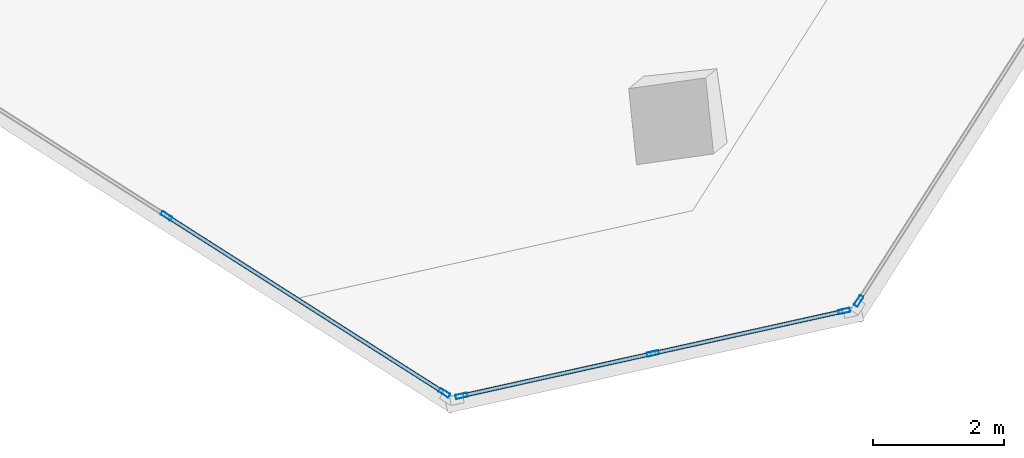
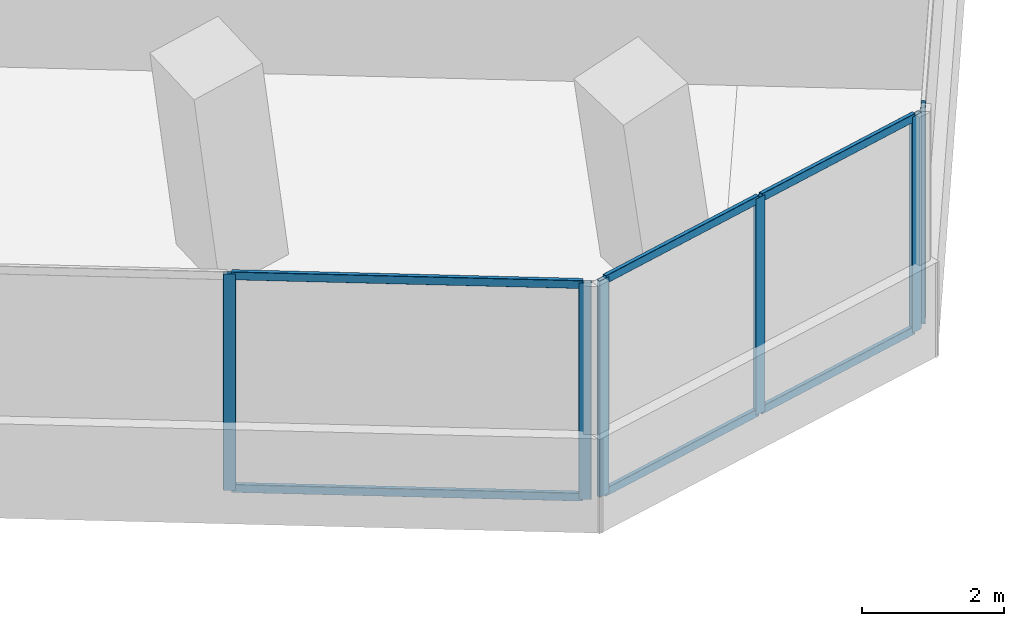
# One storey, part 7 of 24: 12 members, 3 elements without a shape of their own.
"""IFC4 building model written with IfcOpenShell, lengths in metres."""

from ifc_helpers import new_model, si_unit, direction, frame, origin, origin_2d, place, context, subcontext, project, spatial, hollow_rectangle, extrude, source, transform, mapped, material, material_profile, profile_set, type_object, element, aggregate, save


model = new_model("IFC4")

# Units and contexts
model_context = context("Model", 3, precision=1e-05, world=origin(), true_north=direction((0.0, 1.0)))
body_context = subcontext(model_context, "Body", "Model", "MODEL_VIEW")
ifc_project = project(units=[si_unit("LENGTHUNIT", "METRE"), si_unit("AREAUNIT", "SQUARE_METRE"), si_unit("VOLUMEUNIT", "CUBIC_METRE"), si_unit("PLANEANGLEUNIT", "RADIAN"), si_unit("MASSUNIT", "GRAM", prefix="KILO")], contexts=[model_context])

# Site, building, storey
site_placement = place(None, origin())
site = spatial("IfcSite", under=ifc_project, at=site_placement, CompositionType="ELEMENT")
building_placement = place(site_placement, origin())
building = spatial("IfcBuilding", under=site, at=building_placement, Name="Torre Montelarca", CompositionType="ELEMENT")
storey_placement = place(building_placement, frame((0.0, 0.0, 191.800048828125)))
storey = spatial("IfcBuildingStorey", under=building, at=storey_placement, Name="L43", CompositionType="ELEMENT", Elevation=191.800048828125)

# Curtain wall, members
ifc_material_1 = material(Name="Insulated low-E laminated glass", Category="glass")
curtain_wall_type = type_object("IfcCurtainWallType", Name="CW-SYS-Z2", PredefinedType="USERDEFINED", material=ifc_material_1)
curtain_wall_1_placement = place(storey_placement, origin())
curtain_wall_1 = element("IfcCurtainWall", 1, at=curtain_wall_1_placement, inside=storey, type_object=curtain_wall_type, Name="L43 Curtain Wall Run CW-T3-L43-E05-B1", ObjectType="UNITISED GLAZING", PredefinedType="USERDEFINED")
ifc_material_2 = material(Name="Anodised aluminium AA 6063-T6", Category="aluminium")
ifc_material_profile_1 = material_profile(ifc_material_2, hollow_rectangle(XDim=0.06494140625, YDim=0.139892578125, WallThickness=0.00390625, InnerFilletRadius=0.00390625, OuterFilletRadius=0.008056640625, at=origin_2d()), Name="ALU65X140X4", Category="aluminium")
ifc_profile_set_1 = profile_set([ifc_material_profile_1], Name="Anodised aluminium AA 6063-T6")
member_type_1 = type_object("IfcMemberType", Name="CWT-ALU140", PredefinedType="USERDEFINED", material=ifc_profile_set_1)
shared_shape_1 = source(origin(), body_context, "Body", "SweptSolid", [
    extrude(hollow_rectangle(XDim=0.06494140625, YDim=0.139892578125, WallThickness=0.00390625, InnerFilletRadius=0.00390625, OuterFilletRadius=0.008056640625, at=origin_2d()), origin(), (0.0, 0.0, 1.0), 2.918701171875),
])
member_1_placement = place(storey_placement, frame((36.126220703125, 6.6220703125, 0.032470703125), z_axis=(0.976306966176, 0.216390174906, 0.0), x_axis=(-0.216390174906, 0.976306966176, 0.0)))
member_1 = element("IfcMember", 2, at=member_1_placement, type_object=member_type_1, Name="CW transom 1.1", ObjectType="TRANSOM", PredefinedType="USERDEFINED", context=body_context, shape_type="MappedRepresentation", body=[
    mapped(shared_shape_1, transform((0.0, 0.0, 0.0), scale=1.0)),
])
member_2_placement = place(storey_placement, frame((36.126220703125, 6.6220703125, 3.6875), z_axis=(0.976306966176, 0.216390174906, 0.0), x_axis=(-0.216390174906, 0.976306966176, 0.0)))
member_2 = element("IfcMember", 3, at=member_2_placement, type_object=member_type_1, Name="CW transom 1.2", ObjectType="TRANSOM", PredefinedType="USERDEFINED", context=body_context, shape_type="MappedRepresentation", body=[
    mapped(shared_shape_1, transform((0.0, 0.0, 0.0), scale=1.0)),
])
shared_shape_2 = source(origin(), body_context, "Body", "SweptSolid", [
    extrude(hollow_rectangle(XDim=0.06494140625, YDim=0.139892578125, WallThickness=0.00390625, InnerFilletRadius=0.00390625, OuterFilletRadius=0.008056640625, at=origin_2d()), origin(), (0.0, 0.0, 1.0), 2.91845703125),
])
member_3_placement = place(storey_placement, frame((39.039306640625, 7.267822265625, 0.032470703125), z_axis=(0.976285372123, 0.216487579732, 0.0), x_axis=(-0.216487579732, 0.976285372123, 0.0)))
member_3 = element("IfcMember", 4, at=member_3_placement, type_object=member_type_1, Name="CW transom 2.1", ObjectType="TRANSOM", PredefinedType="USERDEFINED", context=body_context, shape_type="MappedRepresentation", body=[
    mapped(shared_shape_2, transform((0.0, 0.0, 0.0), scale=1.0)),
])
member_4_placement = place(storey_placement, frame((39.039306640625, 7.267822265625, 3.6875), z_axis=(0.976285372123, 0.216487579732, 0.0), x_axis=(-0.216487579732, 0.976285372123, 0.0)))
member_4 = element("IfcMember", 5, at=member_4_placement, type_object=member_type_1, Name="CW transom 2.2", ObjectType="TRANSOM", PredefinedType="USERDEFINED", context=body_context, shape_type="MappedRepresentation", body=[
    mapped(shared_shape_2, transform((0.0, 0.0, 0.0), scale=1.0)),
])

curtain_wall_2_placement = place(storey_placement, origin())
curtain_wall_2 = element("IfcCurtainWall", 6, at=curtain_wall_2_placement, inside=storey, type_object=curtain_wall_type, Name="L43 Curtain Wall Run CW-T3-L43-E04-B1", ObjectType="UNITISED GLAZING", PredefinedType="USERDEFINED")
ifc_material_profile_2 = material_profile(ifc_material_2, hollow_rectangle(XDim=0.06494140625, YDim=0.179931640625, WallThickness=0.00390625, InnerFilletRadius=0.00390625, OuterFilletRadius=0.008056640625, at=origin_2d()), Name="ALU65X180X4", Category="aluminium")
ifc_profile_set_2 = profile_set([ifc_material_profile_2], Name="Anodised aluminium AA 6063-T6")
member_type_2 = type_object("IfcMemberType", Name="CWM-ALU180", PredefinedType="MULLION", material=ifc_profile_set_2)
shared_shape_3 = source(origin(), body_context, "Body", "SweptSolid", [
    extrude(hollow_rectangle(XDim=0.06494140625, YDim=0.179931640625, WallThickness=0.00390625, InnerFilletRadius=0.00390625, OuterFilletRadius=0.008056640625, at=origin_2d()), origin(), (0.0, 0.0, 1.0), 3.719970703125),
])
member_5_placement = place(storey_placement, frame((31.603271484375, 9.355224609375, 0.0), z_axis=(0.0, 0.0, 1.0), x_axis=(0.537310114174, 0.843384752771, 0.0)))
member_5 = element("IfcMember", 7, at=member_5_placement, type_object=member_type_2, Name="CW mullion 2", PredefinedType="MULLION", context=body_context, shape_type="MappedRepresentation", body=[
    mapped(shared_shape_3, transform((0.0, 0.0, 0.0), scale=1.0)),
])
member_6_placement = place(storey_placement, frame((35.831787109375, 6.661376953125, 0.0), z_axis=(0.0, 0.0, 1.0), x_axis=(0.537310114174, 0.843384752771, 0.0)))
member_6 = element("IfcMember", 8, at=member_6_placement, type_object=member_type_2, Name="CW mullion 3", PredefinedType="MULLION", context=body_context, shape_type="MappedRepresentation", body=[
    mapped(shared_shape_3, transform((0.0, 0.0, 0.0), scale=1.0)),
])

# Member
member_7_placement = place(storey_placement, frame((36.094482421875, 6.614990234375, 0.0), z_axis=(0.0, 0.0, 1.0), x_axis=(-0.216463544344, 0.976290701569, 0.0)))
member_7 = element("IfcMember", 9, at=member_7_placement, type_object=member_type_2, Name="CW mullion 1", PredefinedType="MULLION", context=body_context, shape_type="MappedRepresentation", body=[
    mapped(shared_shape_3, transform((0.0, 0.0, 0.0), scale=1.0)),
])

member_8_placement = place(storey_placement, frame((39.007568359375, 7.2607421875, 0.0), z_axis=(0.0, 0.0, 1.0), x_axis=(-0.216463544344, 0.976290701569, 0.0)))
member_8 = element("IfcMember", 10, at=member_8_placement, type_object=member_type_2, Name="CW mullion 2", PredefinedType="MULLION", context=body_context, shape_type="MappedRepresentation", body=[
    mapped(shared_shape_3, transform((0.0, 0.0, 0.0), scale=1.0)),
])

member_9_placement = place(storey_placement, frame((41.92041015625, 7.90673828125, 0.0), z_axis=(0.0, 0.0, 1.0), x_axis=(-0.216463544344, 0.976290701569, 0.0)))
member_9 = element("IfcMember", 11, at=member_9_placement, type_object=member_type_2, Name="CW mullion 3", PredefinedType="MULLION", context=body_context, shape_type="MappedRepresentation", body=[
    mapped(shared_shape_3, transform((0.0, 0.0, 0.0), scale=1.0)),
])

aggregate(curtain_wall_1, [member_7, member_8, member_9, member_1, member_2, member_3, member_4])

# Curtain wall, member
curtain_wall_3_placement = place(storey_placement, origin())
curtain_wall_3 = element("IfcCurtainWall", 12, at=curtain_wall_3_placement, inside=storey, type_object=curtain_wall_type, Name="L43 Curtain Wall Run CW-T3-L43-E06-B1", ObjectType="UNITISED GLAZING", PredefinedType="USERDEFINED")
member_10_placement = place(storey_placement, frame((42.13916015625, 8.059814453125, 0.0), z_axis=(0.0, 0.0, 1.0), x_axis=(-0.843389039566, 0.53730338538, 0.0)))
member_10 = element("IfcMember", 13, at=member_10_placement, type_object=member_type_2, Name="CW mullion 1", PredefinedType="MULLION", context=body_context, shape_type="MappedRepresentation", body=[
    mapped(shared_shape_3, transform((0.0, 0.0, 0.0), scale=1.0)),
])
aggregate(curtain_wall_3, [member_10])

# Member
shared_shape_4 = source(origin(), body_context, "Body", "SweptSolid", [
    extrude(hollow_rectangle(XDim=0.06494140625, YDim=0.139892578125, WallThickness=0.00390625, InnerFilletRadius=0.00390625, OuterFilletRadius=0.008056640625, at=origin_2d()), origin(), (0.0, 0.0, 1.0), 4.94873046875),
])
member_11_placement = place(storey_placement, frame((31.630615234375, 9.337646484375, 0.032470703125), z_axis=(0.843385098953, -0.537309570792, 0.0), x_axis=(0.537309570792, 0.843385098953, 0.0)))
member_11 = element("IfcMember", 14, at=member_11_placement, type_object=member_type_1, Name="CW transom 2.1", ObjectType="TRANSOM", PredefinedType="USERDEFINED", context=body_context, shape_type="MappedRepresentation", body=[
    mapped(shared_shape_4, transform((0.0, 0.0, 0.0), scale=1.0)),
])

member_12_placement = place(storey_placement, frame((31.630615234375, 9.337646484375, 3.6875), z_axis=(0.843385098953, -0.537309570792, 0.0), x_axis=(0.537309570792, 0.843385098953, 0.0)))
member_12 = element("IfcMember", 15, at=member_12_placement, type_object=member_type_1, Name="CW transom 2.2", ObjectType="TRANSOM", PredefinedType="USERDEFINED", context=body_context, shape_type="MappedRepresentation", body=[
    mapped(shared_shape_4, transform((0.0, 0.0, 0.0), scale=1.0)),
])

aggregate(curtain_wall_2, [member_5, member_6, member_11, member_12])

save(model, "model.ifc")
